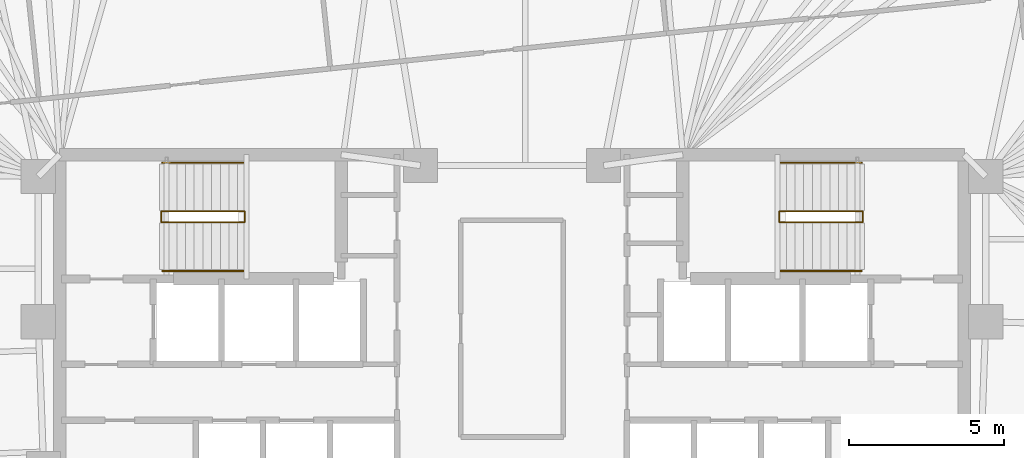
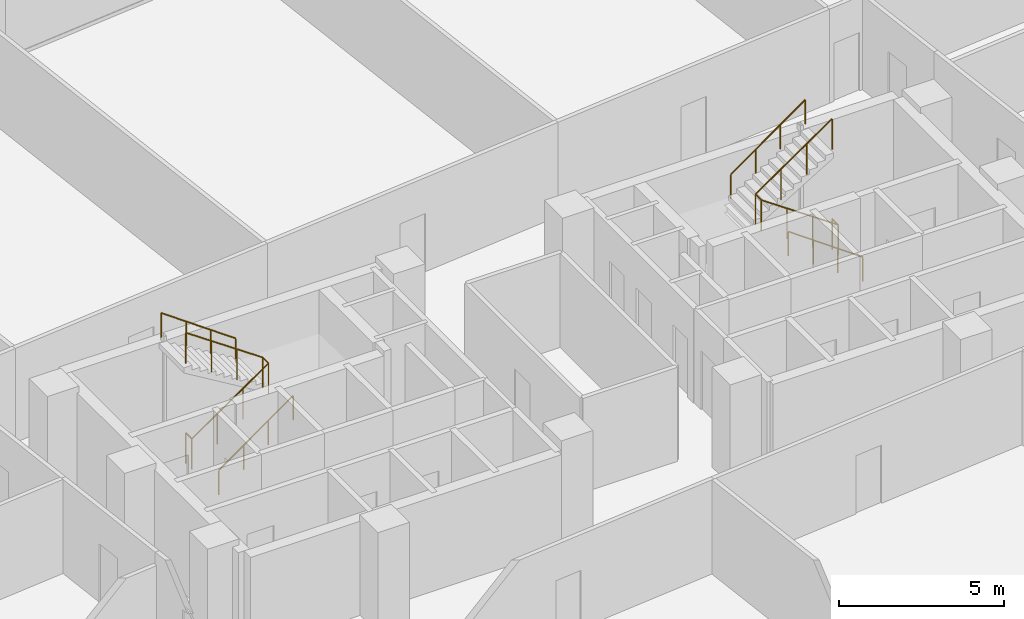
# One storey, part 18 of 18: 6 railings.
"""IFC4 building model written with IfcOpenShell, lengths in metres."""

from ifc_helpers import new_model, si_unit, direction, frame, origin, origin_2d, place, context, subcontext, project, spatial, circle, extrude, material, type_object, element, save


model = new_model("IFC4")

# Units and contexts
model_context = context("Model", 3, precision=1e-05, world=origin(), true_north=direction((0.0, 1.0)))
body_context = subcontext(model_context, "Body", "Model", "MODEL_VIEW")
ifc_project = project(units=[si_unit("LENGTHUNIT", "METRE"), si_unit("AREAUNIT", "SQUARE_METRE"), si_unit("VOLUMEUNIT", "CUBIC_METRE"), si_unit("PLANEANGLEUNIT", "RADIAN"), si_unit("MASSUNIT", "GRAM", prefix="KILO")], contexts=[model_context])

# Site, building, storey
site_placement = place(None, origin())
site = spatial("IfcSite", under=ifc_project, at=site_placement, CompositionType="ELEMENT")
building_placement = place(site_placement, origin())
building = spatial("IfcBuilding", under=site, at=building_placement, Name="Menara Jurai Vektor", CompositionType="ELEMENT")
storey_placement = place(building_placement, frame((0.0, 0.0, 98.5)))
storey = spatial("IfcBuildingStorey", under=building, at=storey_placement, Name="L24", CompositionType="ELEMENT", Elevation=98.5)

# Railings
ifc_material_1 = material(Name="Painted Galvanised Steel Balustrade", Category="steel")
railing_type_1 = type_object("IfcRailingType", Name="RAIL-STAIR-GUARD", PredefinedType="GUARDRAIL", material=ifc_material_1)
railing_1_placement = place(storey_placement, frame((-11.2900390625, 3.780029296875, 0.0)))
element("IfcRailing", 1, at=railing_1_placement, inside=storey, type_object=railing_type_1, Name="ST1 Stair Guardrail 1 L24", PredefinedType="GUARDRAIL", context=body_context, shape_type="SweptSolid", body=[
    extrude(circle(Radius=0.02392578125, at=origin_2d()), frame((0.0, 0.0, 1.1259765625), z_axis=(0.0, -1.0, 0.0), x_axis=(1.0, 0.0, 0.0)), (0.0, 0.0, 1.0), 0.360107421875),
    extrude(circle(Radius=0.02392578125, at=origin_2d()), frame((0.0, -0.360107421875, 1.1259765625), z_axis=(0.822944469782, 0.0, 0.568121817619), x_axis=(0.0, 1.0, 0.0)), (0.0, 0.0, 1.0), 3.256591796875),
    extrude(circle(Radius=0.02392578125, at=origin_2d()), frame((2.679931640625, -0.360107421875, 2.97607421875), z_axis=(0.0, 1.0, 0.0), x_axis=(-1.0, 0.0, 0.0)), (0.0, 0.0, 1.0), 0.360107421875),
    extrude(circle(Radius=0.02392578125, at=origin_2d()), frame((2.679931640625, 0.0, 2.97607421875), z_axis=(-0.822979520584, 0.0, 0.568071041948), x_axis=(0.0, -1.0, 0.0)), (0.0, 0.0, 1.0), 3.25634765625),
    extrude(circle(Radius=0.02099609375, at=origin_2d()), origin(), (0.0, 0.0, 1.0), 1.101806640625),
    extrude(circle(Radius=0.02099609375, at=origin_2d()), frame((0.0, -0.360107421875, 0.0)), (0.0, 0.0, 1.0), 1.101806640625),
    extrude(circle(Radius=0.02099609375, at=origin_2d()), frame((0.893310546875, -0.360107421875, 0.61669921875)), (0.0, 0.0, 1.0), 1.101806640625),
    extrude(circle(Radius=0.02099609375, at=origin_2d()), frame((1.78662109375, -0.360107421875, 1.2333984375)), (0.0, 0.0, 1.0), 1.101806640625),
    extrude(circle(Radius=0.02099609375, at=origin_2d()), frame((2.679931640625, -0.360107421875, 1.85009765625)), (0.0, 0.0, 1.0), 1.101806640625),
    extrude(circle(Radius=0.02099609375, at=origin_2d()), frame((2.679931640625, 0.0, 1.85009765625)), (0.0, 0.0, 1.0), 1.101806640625),
    extrude(circle(Radius=0.02099609375, at=origin_2d()), frame((1.78662109375, 0.0, 2.466796875)), (0.0, 0.0, 1.0), 1.101806640625),
    extrude(circle(Radius=0.02099609375, at=origin_2d()), frame((0.893310546875, 0.0, 3.083251953125)), (0.0, 0.0, 1.0), 1.101806640625),
    extrude(circle(Radius=0.02099609375, at=origin_2d()), frame((0.0, 0.0, 3.699951171875)), (0.0, 0.0, 1.0), 1.101806640625),
])
railing_2_placement = place(storey_placement, frame((11.2900390625, 3.780029296875, 0.0)))
element("IfcRailing", 2, at=railing_2_placement, inside=storey, type_object=railing_type_1, Name="ST2 Stair Guardrail 1 L24", PredefinedType="GUARDRAIL", context=body_context, shape_type="SweptSolid", body=[
    extrude(circle(Radius=0.02392578125, at=origin_2d()), frame((0.0, 0.0, 1.1259765625), z_axis=(0.0, -1.0, 0.0), x_axis=(1.0, 0.0, 0.0)), (0.0, 0.0, 1.0), 0.360107421875),
    extrude(circle(Radius=0.02392578125, at=origin_2d()), frame((0.0, -0.360107421875, 1.1259765625), z_axis=(-0.822944469782, 0.0, 0.568121817619), x_axis=(0.0, -1.0, 0.0)), (0.0, 0.0, 1.0), 3.256591796875),
    extrude(circle(Radius=0.02392578125, at=origin_2d()), frame((-2.679931640625, -0.360107421875, 2.97607421875), z_axis=(0.0, 1.0, 0.0), x_axis=(-1.0, 0.0, 0.0)), (0.0, 0.0, 1.0), 0.360107421875),
    extrude(circle(Radius=0.02392578125, at=origin_2d()), frame((-2.679931640625, 0.0, 2.97607421875), z_axis=(0.822979520584, 0.0, 0.568071041948), x_axis=(0.0, 1.0, 0.0)), (0.0, 0.0, 1.0), 3.25634765625),
    extrude(circle(Radius=0.02099609375, at=origin_2d()), origin(), (0.0, 0.0, 1.0), 1.101806640625),
    extrude(circle(Radius=0.02099609375, at=origin_2d()), frame((0.0, -0.360107421875, 0.0)), (0.0, 0.0, 1.0), 1.101806640625),
    extrude(circle(Radius=0.02099609375, at=origin_2d()), frame((-0.893310546875, -0.360107421875, 0.61669921875)), (0.0, 0.0, 1.0), 1.101806640625),
    extrude(circle(Radius=0.02099609375, at=origin_2d()), frame((-1.78662109375, -0.360107421875, 1.2333984375)), (0.0, 0.0, 1.0), 1.101806640625),
    extrude(circle(Radius=0.02099609375, at=origin_2d()), frame((-2.679931640625, -0.360107421875, 1.85009765625)), (0.0, 0.0, 1.0), 1.101806640625),
    extrude(circle(Radius=0.02099609375, at=origin_2d()), frame((-2.679931640625, 0.0, 1.85009765625)), (0.0, 0.0, 1.0), 1.101806640625),
    extrude(circle(Radius=0.02099609375, at=origin_2d()), frame((-1.78662109375, 0.0, 2.466796875)), (0.0, 0.0, 1.0), 1.101806640625),
    extrude(circle(Radius=0.02099609375, at=origin_2d()), frame((-0.893310546875, 0.0, 3.083251953125)), (0.0, 0.0, 1.0), 1.101806640625),
    extrude(circle(Radius=0.02099609375, at=origin_2d()), frame((0.0, 0.0, 3.699951171875)), (0.0, 0.0, 1.0), 1.101806640625),
])
ifc_material_2 = material(Name="Brushed Stainless Steel Handrail", Category="steel")
railing_type_2 = type_object("IfcRailingType", Name="RAIL-STAIR-HAND", PredefinedType="HANDRAIL", material=ifc_material_2)
railing_3_placement = place(storey_placement, frame((-11.25, 1.860107421875, 0.0)))
element("IfcRailing", 3, at=railing_3_placement, inside=storey, type_object=railing_type_2, Name="ST1 Stair Handrail 1 L24", PredefinedType="HANDRAIL", context=body_context, shape_type="SweptSolid", body=[
    extrude(circle(Radius=0.02392578125, at=origin_2d()), frame((0.0, 0.0, 0.89599609375), z_axis=(0.814786671209, 0.0, 0.579760882106), x_axis=(0.0, 1.0, 0.0)), (0.0, 0.0, 1.0), 3.191162109375),
    extrude(circle(Radius=0.02099609375, at=origin_2d()), origin(), (0.0, 0.0, 1.0), 0.871826171875),
    extrude(circle(Radius=0.02099609375, at=origin_2d()), frame((0.86669921875, 0.0, 0.61669921875)), (0.0, 0.0, 1.0), 0.871826171875),
    extrude(circle(Radius=0.02099609375, at=origin_2d()), frame((1.7333984375, 0.0, 1.2333984375)), (0.0, 0.0, 1.0), 0.871826171875),
    extrude(circle(Radius=0.02099609375, at=origin_2d()), frame((2.60009765625, 0.0, 1.85009765625)), (0.0, 0.0, 1.0), 0.871826171875),
])
railing_4_placement = place(storey_placement, frame((-8.64990234375, 5.340087890625, 1.85009765625)))
element("IfcRailing", 4, at=railing_4_placement, inside=storey, type_object=railing_type_2, Name="ST1 Stair Handrail 2 L24", PredefinedType="HANDRAIL", context=body_context, shape_type="SweptSolid", body=[
    extrude(circle(Radius=0.02392578125, at=origin_2d()), frame((0.0, 0.0, 0.89599609375), z_axis=(-0.814822811145, 0.0, 0.579710088267), x_axis=(0.0, -1.0, 0.0)), (0.0, 0.0, 1.0), 3.19091796875),
    extrude(circle(Radius=0.02099609375, at=origin_2d()), origin(), (0.0, 0.0, 1.0), 0.871826171875),
    extrude(circle(Radius=0.02099609375, at=origin_2d()), frame((-0.86669921875, 0.0, 0.61669921875)), (0.0, 0.0, 1.0), 0.871826171875),
    extrude(circle(Radius=0.02099609375, at=origin_2d()), frame((-1.7333984375, 0.0, 1.233154296875)), (0.0, 0.0, 1.0), 0.871826171875),
    extrude(circle(Radius=0.02099609375, at=origin_2d()), frame((-2.60009765625, 0.0, 1.849853515625)), (0.0, 0.0, 1.0), 0.871826171875),
])
railing_5_placement = place(storey_placement, frame((11.25, 1.860107421875, 0.0)))
element("IfcRailing", 5, at=railing_5_placement, inside=storey, type_object=railing_type_2, Name="ST2 Stair Handrail 1 L24", PredefinedType="HANDRAIL", context=body_context, shape_type="SweptSolid", body=[
    extrude(circle(Radius=0.02392578125, at=origin_2d()), frame((0.0, 0.0, 0.89599609375), z_axis=(-0.814786671209, 0.0, 0.579760882106), x_axis=(0.0, -1.0, 0.0)), (0.0, 0.0, 1.0), 3.191162109375),
    extrude(circle(Radius=0.02099609375, at=origin_2d()), origin(), (0.0, 0.0, 1.0), 0.871826171875),
    extrude(circle(Radius=0.02099609375, at=origin_2d()), frame((-0.86669921875, 0.0, 0.61669921875)), (0.0, 0.0, 1.0), 0.871826171875),
    extrude(circle(Radius=0.02099609375, at=origin_2d()), frame((-1.7333984375, 0.0, 1.2333984375)), (0.0, 0.0, 1.0), 0.871826171875),
    extrude(circle(Radius=0.02099609375, at=origin_2d()), frame((-2.60009765625, 0.0, 1.85009765625)), (0.0, 0.0, 1.0), 0.871826171875),
])
railing_6_placement = place(storey_placement, frame((8.64990234375, 5.340087890625, 1.85009765625)))
element("IfcRailing", 6, at=railing_6_placement, inside=storey, type_object=railing_type_2, Name="ST2 Stair Handrail 2 L24", PredefinedType="HANDRAIL", context=body_context, shape_type="SweptSolid", body=[
    extrude(circle(Radius=0.02392578125, at=origin_2d()), frame((0.0, 0.0, 0.89599609375), z_axis=(0.814822811145, 0.0, 0.579710088267), x_axis=(0.0, 1.0, 0.0)), (0.0, 0.0, 1.0), 3.19091796875),
    extrude(circle(Radius=0.02099609375, at=origin_2d()), origin(), (0.0, 0.0, 1.0), 0.871826171875),
    extrude(circle(Radius=0.02099609375, at=origin_2d()), frame((0.86669921875, 0.0, 0.61669921875)), (0.0, 0.0, 1.0), 0.871826171875),
    extrude(circle(Radius=0.02099609375, at=origin_2d()), frame((1.7333984375, 0.0, 1.233154296875)), (0.0, 0.0, 1.0), 0.871826171875),
    extrude(circle(Radius=0.02099609375, at=origin_2d()), frame((2.60009765625, 0.0, 1.849853515625)), (0.0, 0.0, 1.0), 0.871826171875),
])

save(model, "model.ifc")
